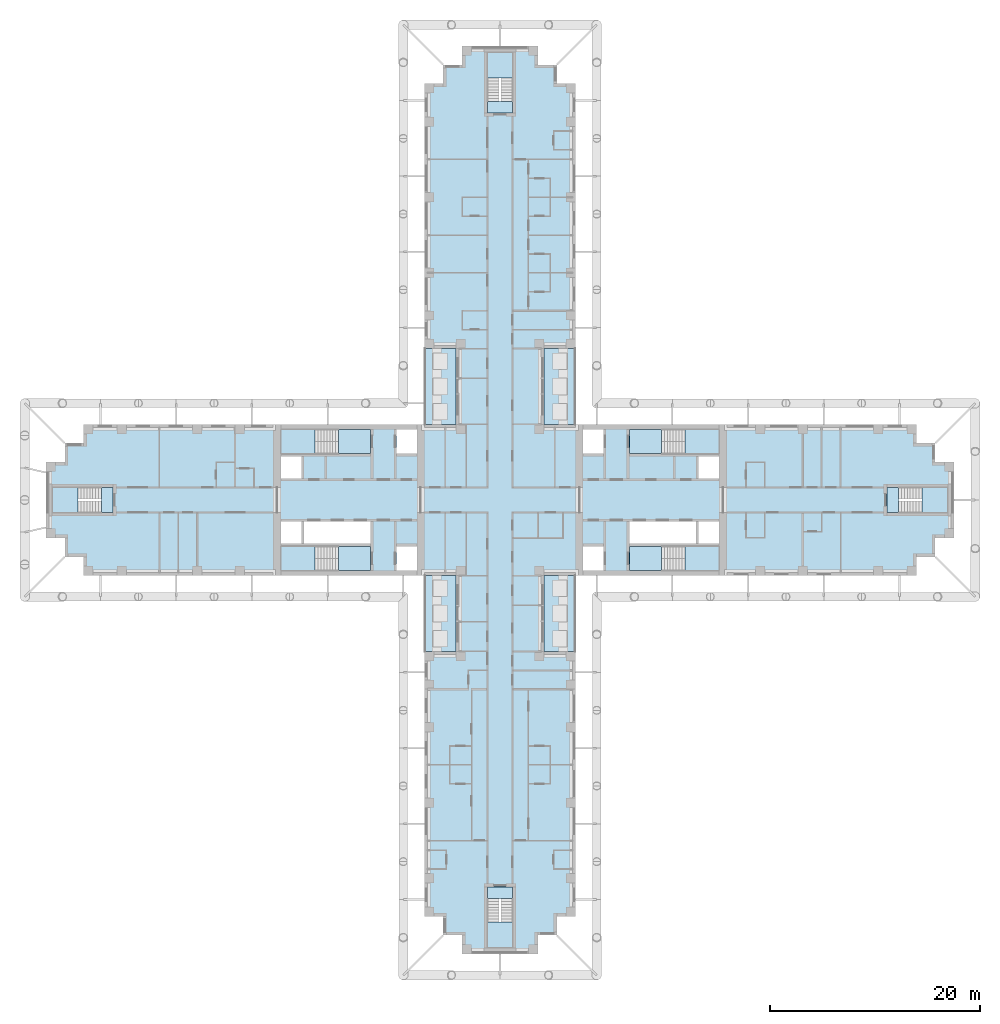
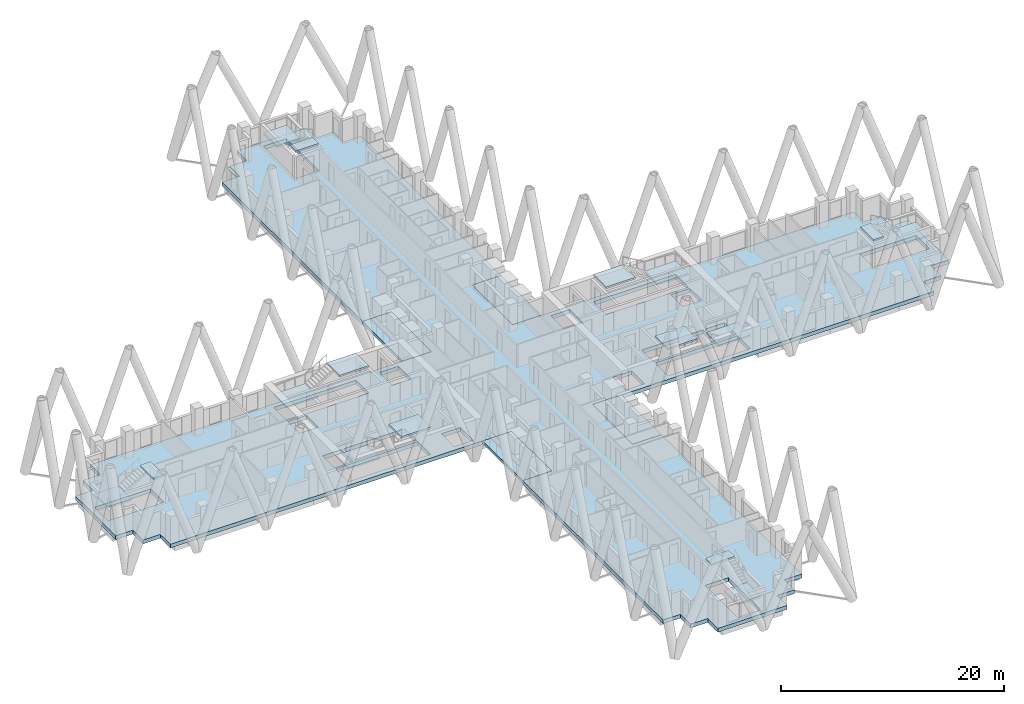
# One storey, part 3 of 17: 21 slabs, 8 elements without a shape of their own.
"""IFC4 building model written with IfcOpenShell, lengths in metres."""

from ifc_helpers import new_model, si_unit, direction, frame, origin, place, context, subcontext, project, spatial, polyline, outline, extrude, material, layer, layer_set, type_object, element, aggregate, save


model = new_model("IFC4")

# Units and contexts
model_context = context("Model", 3, precision=1e-05, world=origin(), true_north=direction((0.0, 1.0)))
body_context = subcontext(model_context, "Body", "Model", "MODEL_VIEW")
ifc_project = project(units=[si_unit("LENGTHUNIT", "METRE"), si_unit("AREAUNIT", "SQUARE_METRE"), si_unit("VOLUMEUNIT", "CUBIC_METRE"), si_unit("PLANEANGLEUNIT", "RADIAN"), si_unit("MASSUNIT", "GRAM", prefix="KILO")], contexts=[model_context])

# Site, building, storey
site_placement = place(None, origin())
site = spatial("IfcSite", under=ifc_project, at=site_placement, CompositionType="ELEMENT")
building_placement = place(site_placement, origin())
building = spatial("IfcBuilding", under=site, at=building_placement, Name="Fustian Cross Tower", CompositionType="ELEMENT")
storey_placement = place(building_placement, frame((0.0, 0.0, 56.699951171875)))
storey = spatial("IfcBuildingStorey", under=building, at=storey_placement, Name="L17", CompositionType="ELEMENT", Elevation=56.699951171875)

# Slabs
ifc_material_1 = material(Name="Concrete C40/50", Category="concrete")
ifc_layer_1 = layer(ifc_material_1, 0.300048828125)
ifc_layer_set_1 = layer_set([ifc_layer_1], Name="Concrete C40/50")
slab_type_1 = type_object("IfcSlabType", Name="BS1 BALCONY SLAB 300", PredefinedType="FLOOR", material=ifc_layer_set_1)
slab_1_placement = place(storey_placement, frame((0.0, 0.0, -0.300048828125)))
element("IfcSlab", 1, at=slab_1_placement, inside=storey, type_object=slab_type_1, Name="Balcony slab", PredefinedType="FLOOR", context=body_context, shape_type="SweptSolid", body=[
    extrude(outline(polyline([(4.199951171875, 7.199951171875), (7.199951171875, 7.199951171875), (7.199951171875, 14.39990234375), (4.199951171875, 14.39990234375), (4.199951171875, 7.199951171875)])), origin(), (0.0, 0.0, 1.0), 0.300048828125),
])
slab_2_placement = place(storey_placement, frame((0.0, 0.0, -0.300048828125)))
element("IfcSlab", 2, at=slab_2_placement, inside=storey, type_object=slab_type_1, Name="Balcony slab", PredefinedType="FLOOR", context=body_context, shape_type="SweptSolid", body=[
    extrude(outline(polyline([(-7.199951171875, 7.199951171875), (-4.199951171875, 7.199951171875), (-4.199951171875, 14.39990234375), (-7.199951171875, 14.39990234375), (-7.199951171875, 7.199951171875)])), origin(), (0.0, 0.0, 1.0), 0.300048828125),
])
slab_3_placement = place(storey_placement, frame((0.0, 0.0, -0.300048828125)))
element("IfcSlab", 3, at=slab_3_placement, inside=storey, type_object=slab_type_1, Name="Balcony slab", PredefinedType="FLOOR", context=body_context, shape_type="SweptSolid", body=[
    extrude(outline(polyline([(4.199951171875, -14.39990234375), (7.199951171875, -14.39990234375), (7.199951171875, -7.199951171875), (4.199951171875, -7.199951171875), (4.199951171875, -14.39990234375)])), origin(), (0.0, 0.0, 1.0), 0.300048828125),
])
slab_4_placement = place(storey_placement, frame((0.0, 0.0, -0.300048828125)))
element("IfcSlab", 4, at=slab_4_placement, inside=storey, type_object=slab_type_1, Name="Balcony slab", PredefinedType="FLOOR", context=body_context, shape_type="SweptSolid", body=[
    extrude(outline(polyline([(-7.199951171875, -14.39990234375), (-4.199951171875, -14.39990234375), (-4.199951171875, -7.199951171875), (-7.199951171875, -7.199951171875), (-7.199951171875, -14.39990234375)])), origin(), (0.0, 0.0, 1.0), 0.300048828125),
])
ifc_material_2 = material(Name="Concrete C40/50", Category="concrete")
ifc_layer_2 = layer(ifc_material_2, 0.425048828125)
ifc_layer_set_2 = layer_set([ifc_layer_2], Name="Concrete C40/50")
slab_type_2 = type_object("IfcSlabType", Name="FLAT SLAB 425", PredefinedType="FLOOR", material=ifc_layer_set_2)
slab_5_placement = place(storey_placement, frame((0.0, 0.0, -0.425048828125)))
element("IfcSlab", 5, at=slab_5_placement, inside=storey, type_object=slab_type_2, Name="FLOOR SLAB L17-1", PredefinedType="FLOOR", context=body_context, shape_type="SweptSolid", body=[
    extrude(outline(polyline([(-4.199951171875, -7.199951171875), (-39.60009765625, -7.199951171875), (-39.60009765625, -5.39990234375), (-41.39990234375, -5.39990234375), (-41.39990234375, -3.60009765625), (-43.199951171875, -3.60009765625), (-43.199951171875, 3.60009765625), (-41.39990234375, 3.60009765625), (-41.39990234375, 5.39990234375), (-39.60009765625, 5.39990234375), (-39.60009765625, 7.199951171875), (-4.199951171875, 7.199951171875), (-4.199951171875, 14.39990234375), (-7.199951171875, 14.39990234375), (-7.199951171875, 39.60009765625), (-5.39990234375, 39.60009765625), (-5.39990234375, 41.39990234375), (-3.60009765625, 41.39990234375), (-3.60009765625, 43.199951171875), (3.60009765625, 43.199951171875), (3.60009765625, 41.39990234375), (5.39990234375, 41.39990234375), (5.39990234375, 39.60009765625), (7.199951171875, 39.60009765625), (7.199951171875, 14.39990234375), (4.199951171875, 14.39990234375), (4.199951171875, 7.199951171875), (39.60009765625, 7.199951171875), (39.60009765625, 5.39990234375), (41.39990234375, 5.39990234375), (41.39990234375, 3.60009765625), (43.199951171875, 3.60009765625), (43.199951171875, -3.60009765625), (41.39990234375, -3.60009765625), (41.39990234375, -5.39990234375), (39.60009765625, -5.39990234375), (39.60009765625, -7.199951171875), (4.199951171875, -7.199951171875), (4.199951171875, -14.39990234375), (7.199951171875, -14.39990234375), (7.199951171875, -39.60009765625), (5.39990234375, -39.60009765625), (5.39990234375, -41.39990234375), (3.60009765625, -41.39990234375), (3.60009765625, -43.199951171875), (-3.60009765625, -43.199951171875), (-3.60009765625, -41.39990234375), (-5.39990234375, -41.39990234375), (-5.39990234375, -39.60009765625), (-7.199951171875, -39.60009765625), (-7.199951171875, -14.39990234375), (-4.199951171875, -14.39990234375), (-4.199951171875, -7.199951171875)]), holes=[polyline([(18.89990234375, -2.050048828125), (18.89990234375, -4.14990234375), (20.85009765625, -4.14990234375), (20.85009765625, -2.050048828125), (18.89990234375, -2.050048828125)]), polyline([(20.85009765625, 4.14990234375), (18.89990234375, 4.14990234375), (18.89990234375, 2.050048828125), (20.85009765625, 2.050048828125), (20.85009765625, 4.14990234375)]), polyline([(9.85009765625, 4.39990234375), (9.85009765625, 6.699951171875), (7.89990234375, 6.699951171875), (7.89990234375, 4.39990234375), (9.85009765625, 4.39990234375)]), polyline([(7.89990234375, -6.699951171875), (9.85009765625, -6.699951171875), (9.85009765625, -4.39990234375), (7.89990234375, -4.39990234375), (7.89990234375, -6.699951171875)]), polyline([(-20.85009765625, -2.050048828125), (-20.85009765625, -4.14990234375), (-18.89990234375, -4.14990234375), (-18.89990234375, -2.050048828125), (-20.85009765625, -2.050048828125)]), polyline([(-18.89990234375, 4.14990234375), (-20.85009765625, 4.14990234375), (-20.85009765625, 2.050048828125), (-18.89990234375, 2.050048828125), (-18.89990234375, 4.14990234375)]), polyline([(-7.89990234375, 4.39990234375), (-7.89990234375, 6.699951171875), (-9.85009765625, 6.699951171875), (-9.85009765625, 4.39990234375), (-7.89990234375, 4.39990234375)]), polyline([(-9.85009765625, -6.699951171875), (-7.89990234375, -6.699951171875), (-7.89990234375, -4.39990234375), (-9.85009765625, -4.39990234375), (-9.85009765625, -6.699951171875)]), polyline([(12.300048828125, -2.050048828125), (12.300048828125, -4.14990234375), (18.64990234375, -4.14990234375), (18.64990234375, -2.050048828125), (12.300048828125, -2.050048828125)]), polyline([(-12.300048828125, -2.050048828125), (-18.64990234375, -2.050048828125), (-18.64990234375, -4.14990234375), (-12.300048828125, -4.14990234375), (-12.300048828125, -2.050048828125)]), polyline([(20.85009765625, 4.39990234375), (20.85009765625, 6.699951171875), (12.300048828125, 6.699951171875), (12.300048828125, 4.39990234375), (20.85009765625, 4.39990234375)]), polyline([(12.300048828125, -6.699951171875), (20.85009765625, -6.699951171875), (20.85009765625, -4.39990234375), (12.300048828125, -4.39990234375), (12.300048828125, -6.699951171875)]), polyline([(-20.85009765625, 6.699951171875), (-20.85009765625, 4.39990234375), (-12.300048828125, 4.39990234375), (-12.300048828125, 6.699951171875), (-20.85009765625, 6.699951171875)]), polyline([(-12.300048828125, -4.39990234375), (-20.85009765625, -4.39990234375), (-20.85009765625, -6.699951171875), (-12.300048828125, -6.699951171875), (-12.300048828125, -4.39990234375)]), polyline([(1.199951171875, 36.800048828125), (1.199951171875, 42.60009765625), (-1.199951171875, 42.60009765625), (-1.199951171875, 36.800048828125), (1.199951171875, 36.800048828125)]), polyline([(-1.199951171875, -42.60009765625), (1.199951171875, -42.60009765625), (1.199951171875, -36.800048828125), (-1.199951171875, -36.800048828125), (-1.199951171875, -42.60009765625)]), polyline([(36.800048828125, 1.199951171875), (36.800048828125, -1.199951171875), (42.60009765625, -1.199951171875), (42.60009765625, 1.199951171875), (36.800048828125, 1.199951171875)]), polyline([(-36.800048828125, 1.199951171875), (-42.60009765625, 1.199951171875), (-42.60009765625, -1.199951171875), (-36.800048828125, -1.199951171875), (-36.800048828125, 1.199951171875)])]), origin(), (0.0, 0.0, 1.0), 0.425048828125),
])

# Stair, slabs
ifc_material_3 = material(Name="Concrete C50/60", Category="concrete")
stair_type_1 = type_object("IfcStairType", Name="STAIR 1150 HALF TURN", PredefinedType="HALF_TURN_STAIR", material=ifc_material_3)
stair_1_placement = place(storey_placement, origin())
stair_1 = element("IfcStair", 6, at=stair_1_placement, inside=storey, type_object=stair_type_1, Name="Stair ST1", PredefinedType="HALF_TURN_STAIR")
ifc_material_4 = material(Name="Concrete C50/60", Category="concrete")
ifc_layer_3 = layer(ifc_material_4, 0.199951171875)
ifc_layer_set_3 = layer_set([ifc_layer_3], Name="Concrete C50/60")
slab_type_3 = type_object("IfcSlabType", Name="STAIR LANDING", PredefinedType="LANDING", material=ifc_layer_set_3)
slab_6_placement = place(storey_placement, frame((0.0, 0.0, 1.300048828125)))
slab_6 = element("IfcSlab", 7, at=slab_6_placement, type_object=slab_type_3, Name="ST1 landing 1", PredefinedType="LANDING", context=body_context, shape_type="SweptSolid", body=[
    extrude(outline(polyline([(17.590087890625, 4.39990234375), (20.85009765625, 4.39990234375), (20.85009765625, 6.699951171875), (17.590087890625, 6.699951171875), (17.590087890625, 4.39990234375)])), origin(), (0.0, 0.0, 1.0), 0.199951171875),
])
slab_7_placement = place(storey_placement, frame((0.0, 0.0, 2.800048828125)))
slab_7 = element("IfcSlab", 8, at=slab_7_placement, type_object=slab_type_3, Name="ST1 landing 2", PredefinedType="LANDING", context=body_context, shape_type="SweptSolid", body=[
    extrude(outline(polyline([(12.300048828125, 4.39990234375), (15.35009765625, 4.39990234375), (15.35009765625, 6.699951171875), (12.300048828125, 6.699951171875), (12.300048828125, 4.39990234375)])), origin(), (0.0, 0.0, 1.0), 0.199951171875),
])
aggregate(stair_1, [slab_6, slab_7])

stair_2_placement = place(storey_placement, origin())
stair_2 = element("IfcStair", 9, at=stair_2_placement, inside=storey, type_object=stair_type_1, Name="Stair ST2", PredefinedType="HALF_TURN_STAIR")
slab_8_placement = place(storey_placement, frame((0.0, 0.0, 1.300048828125)))
slab_8 = element("IfcSlab", 10, at=slab_8_placement, type_object=slab_type_3, Name="ST2 landing 1", PredefinedType="LANDING", context=body_context, shape_type="SweptSolid", body=[
    extrude(outline(polyline([(17.590087890625, -4.39990234375), (20.85009765625, -4.39990234375), (20.85009765625, -6.699951171875), (17.590087890625, -6.699951171875), (17.590087890625, -4.39990234375)])), origin(), (0.0, 0.0, 1.0), 0.199951171875),
])
slab_9_placement = place(storey_placement, frame((0.0, 0.0, 2.800048828125)))
slab_9 = element("IfcSlab", 11, at=slab_9_placement, type_object=slab_type_3, Name="ST2 landing 2", PredefinedType="LANDING", context=body_context, shape_type="SweptSolid", body=[
    extrude(outline(polyline([(12.300048828125, -4.39990234375), (15.35009765625, -4.39990234375), (15.35009765625, -6.699951171875), (12.300048828125, -6.699951171875), (12.300048828125, -4.39990234375)])), origin(), (0.0, 0.0, 1.0), 0.199951171875),
])
aggregate(stair_2, [slab_8, slab_9])

stair_3_placement = place(storey_placement, origin())
stair_3 = element("IfcStair", 12, at=stair_3_placement, inside=storey, type_object=stair_type_1, Name="Stair ST3", PredefinedType="HALF_TURN_STAIR")
slab_10_placement = place(storey_placement, frame((0.0, 0.0, 1.300048828125)))
slab_10 = element("IfcSlab", 13, at=slab_10_placement, type_object=slab_type_3, Name="ST3 landing 1", PredefinedType="LANDING", context=body_context, shape_type="SweptSolid", body=[
    extrude(outline(polyline([(-17.590087890625, 4.39990234375), (-20.85009765625, 4.39990234375), (-20.85009765625, 6.699951171875), (-17.590087890625, 6.699951171875), (-17.590087890625, 4.39990234375)])), origin(), (0.0, 0.0, 1.0), 0.199951171875),
])
slab_11_placement = place(storey_placement, frame((0.0, 0.0, 2.800048828125)))
slab_11 = element("IfcSlab", 14, at=slab_11_placement, type_object=slab_type_3, Name="ST3 landing 2", PredefinedType="LANDING", context=body_context, shape_type="SweptSolid", body=[
    extrude(outline(polyline([(-12.300048828125, 4.39990234375), (-15.35009765625, 4.39990234375), (-15.35009765625, 6.699951171875), (-12.300048828125, 6.699951171875), (-12.300048828125, 4.39990234375)])), origin(), (0.0, 0.0, 1.0), 0.199951171875),
])
aggregate(stair_3, [slab_10, slab_11])

stair_4_placement = place(storey_placement, origin())
stair_4 = element("IfcStair", 15, at=stair_4_placement, inside=storey, type_object=stair_type_1, Name="Stair ST4", PredefinedType="HALF_TURN_STAIR")
slab_12_placement = place(storey_placement, frame((0.0, 0.0, 1.300048828125)))
slab_12 = element("IfcSlab", 16, at=slab_12_placement, type_object=slab_type_3, Name="ST4 landing 1", PredefinedType="LANDING", context=body_context, shape_type="SweptSolid", body=[
    extrude(outline(polyline([(-17.590087890625, -4.39990234375), (-20.85009765625, -4.39990234375), (-20.85009765625, -6.699951171875), (-17.590087890625, -6.699951171875), (-17.590087890625, -4.39990234375)])), origin(), (0.0, 0.0, 1.0), 0.199951171875),
])
slab_13_placement = place(storey_placement, frame((0.0, 0.0, 2.800048828125)))
slab_13 = element("IfcSlab", 17, at=slab_13_placement, type_object=slab_type_3, Name="ST4 landing 2", PredefinedType="LANDING", context=body_context, shape_type="SweptSolid", body=[
    extrude(outline(polyline([(-12.300048828125, -4.39990234375), (-15.35009765625, -4.39990234375), (-15.35009765625, -6.699951171875), (-12.300048828125, -6.699951171875), (-12.300048828125, -4.39990234375)])), origin(), (0.0, 0.0, 1.0), 0.199951171875),
])
aggregate(stair_4, [slab_12, slab_13])

ifc_material_5 = material(Name="Concrete C50/60", Category="concrete")
stair_type_2 = type_object("IfcStairType", Name="STAIR 1100 HALF TURN", PredefinedType="HALF_TURN_STAIR", material=ifc_material_5)
stair_5_placement = place(storey_placement, origin())
stair_5 = element("IfcStair", 18, at=stair_5_placement, inside=storey, type_object=stair_type_2, Name="Stair ST5", PredefinedType="HALF_TURN_STAIR")
slab_14_placement = place(storey_placement, frame((0.0, 0.0, 1.300048828125)))
slab_14 = element("IfcSlab", 19, at=slab_14_placement, type_object=slab_type_3, Name="ST5 landing 1", PredefinedType="LANDING", context=body_context, shape_type="SweptSolid", body=[
    extrude(outline(polyline([(-1.199951171875, 40.139892578125), (-1.199951171875, 42.60009765625), (1.199951171875, 42.60009765625), (1.199951171875, 40.139892578125), (-1.199951171875, 40.139892578125)])), origin(), (0.0, 0.0, 1.0), 0.199951171875),
])
slab_15_placement = place(storey_placement, frame((0.0, 0.0, 2.800048828125)))
slab_15 = element("IfcSlab", 20, at=slab_15_placement, type_object=slab_type_3, Name="ST5 landing 2", PredefinedType="LANDING", context=body_context, shape_type="SweptSolid", body=[
    extrude(outline(polyline([(-1.199951171875, 36.800048828125), (-1.199951171875, 37.89990234375), (1.199951171875, 37.89990234375), (1.199951171875, 36.800048828125), (-1.199951171875, 36.800048828125)])), origin(), (0.0, 0.0, 1.0), 0.199951171875),
])
aggregate(stair_5, [slab_14, slab_15])

stair_6_placement = place(storey_placement, origin())
stair_6 = element("IfcStair", 21, at=stair_6_placement, inside=storey, type_object=stair_type_2, Name="Stair ST6", PredefinedType="HALF_TURN_STAIR")
slab_16_placement = place(storey_placement, frame((0.0, 0.0, 1.300048828125)))
slab_16 = element("IfcSlab", 22, at=slab_16_placement, type_object=slab_type_3, Name="ST6 landing 1", PredefinedType="LANDING", context=body_context, shape_type="SweptSolid", body=[
    extrude(outline(polyline([(-1.199951171875, -40.139892578125), (-1.199951171875, -42.60009765625), (1.199951171875, -42.60009765625), (1.199951171875, -40.139892578125), (-1.199951171875, -40.139892578125)])), origin(), (0.0, 0.0, 1.0), 0.199951171875),
])
slab_17_placement = place(storey_placement, frame((0.0, 0.0, 2.800048828125)))
slab_17 = element("IfcSlab", 23, at=slab_17_placement, type_object=slab_type_3, Name="ST6 landing 2", PredefinedType="LANDING", context=body_context, shape_type="SweptSolid", body=[
    extrude(outline(polyline([(-1.199951171875, -36.800048828125), (-1.199951171875, -37.89990234375), (1.199951171875, -37.89990234375), (1.199951171875, -36.800048828125), (-1.199951171875, -36.800048828125)])), origin(), (0.0, 0.0, 1.0), 0.199951171875),
])
aggregate(stair_6, [slab_16, slab_17])

stair_7_placement = place(storey_placement, origin())
stair_7 = element("IfcStair", 24, at=stair_7_placement, inside=storey, type_object=stair_type_2, Name="Stair ST8", PredefinedType="HALF_TURN_STAIR")
slab_18_placement = place(storey_placement, frame((0.0, 0.0, 1.300048828125)))
slab_18 = element("IfcSlab", 25, at=slab_18_placement, type_object=slab_type_3, Name="ST8 landing 1", PredefinedType="LANDING", context=body_context, shape_type="SweptSolid", body=[
    extrude(outline(polyline([(40.139892578125, -1.199951171875), (42.60009765625, -1.199951171875), (42.60009765625, 1.199951171875), (40.139892578125, 1.199951171875), (40.139892578125, -1.199951171875)])), origin(), (0.0, 0.0, 1.0), 0.199951171875),
])
slab_19_placement = place(storey_placement, frame((0.0, 0.0, 2.800048828125)))
slab_19 = element("IfcSlab", 26, at=slab_19_placement, type_object=slab_type_3, Name="ST8 landing 2", PredefinedType="LANDING", context=body_context, shape_type="SweptSolid", body=[
    extrude(outline(polyline([(36.800048828125, -1.199951171875), (37.89990234375, -1.199951171875), (37.89990234375, 1.199951171875), (36.800048828125, 1.199951171875), (36.800048828125, -1.199951171875)])), origin(), (0.0, 0.0, 1.0), 0.199951171875),
])
aggregate(stair_7, [slab_18, slab_19])

stair_8_placement = place(storey_placement, origin())
stair_8 = element("IfcStair", 27, at=stair_8_placement, inside=storey, type_object=stair_type_2, Name="Stair ST9", PredefinedType="HALF_TURN_STAIR")
slab_20_placement = place(storey_placement, frame((0.0, 0.0, 1.300048828125)))
slab_20 = element("IfcSlab", 28, at=slab_20_placement, type_object=slab_type_3, Name="ST9 landing 1", PredefinedType="LANDING", context=body_context, shape_type="SweptSolid", body=[
    extrude(outline(polyline([(-40.139892578125, -1.199951171875), (-42.60009765625, -1.199951171875), (-42.60009765625, 1.199951171875), (-40.139892578125, 1.199951171875), (-40.139892578125, -1.199951171875)])), origin(), (0.0, 0.0, 1.0), 0.199951171875),
])
slab_21_placement = place(storey_placement, frame((0.0, 0.0, 2.800048828125)))
slab_21 = element("IfcSlab", 29, at=slab_21_placement, type_object=slab_type_3, Name="ST9 landing 2", PredefinedType="LANDING", context=body_context, shape_type="SweptSolid", body=[
    extrude(outline(polyline([(-36.800048828125, -1.199951171875), (-37.89990234375, -1.199951171875), (-37.89990234375, 1.199951171875), (-36.800048828125, 1.199951171875), (-36.800048828125, -1.199951171875)])), origin(), (0.0, 0.0, 1.0), 0.199951171875),
])
aggregate(stair_8, [slab_20, slab_21])

save(model, "model.ifc")
